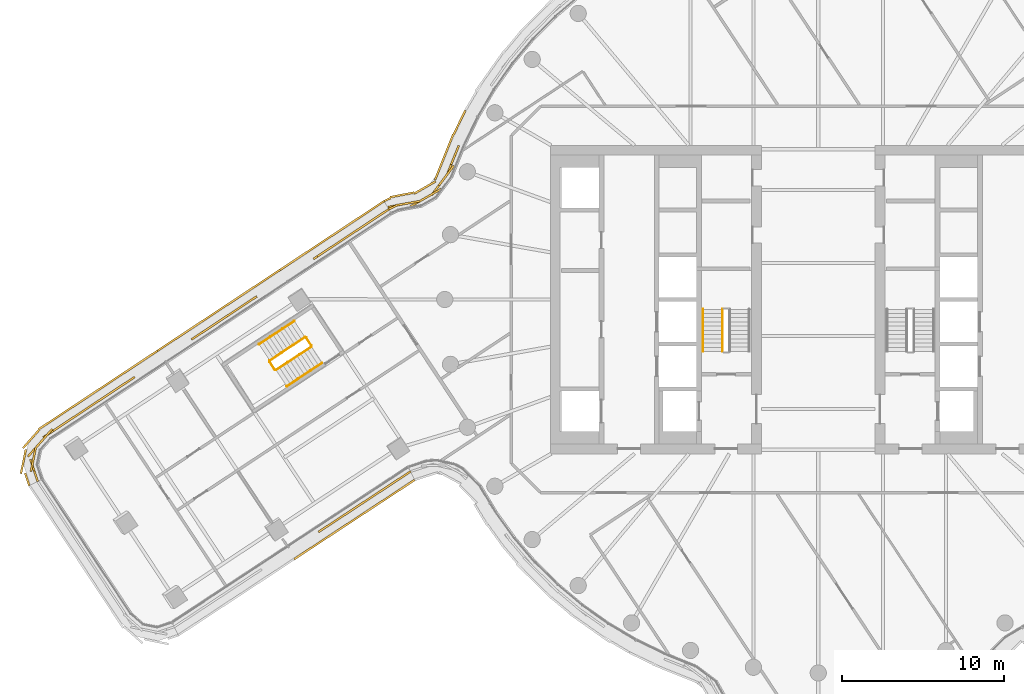
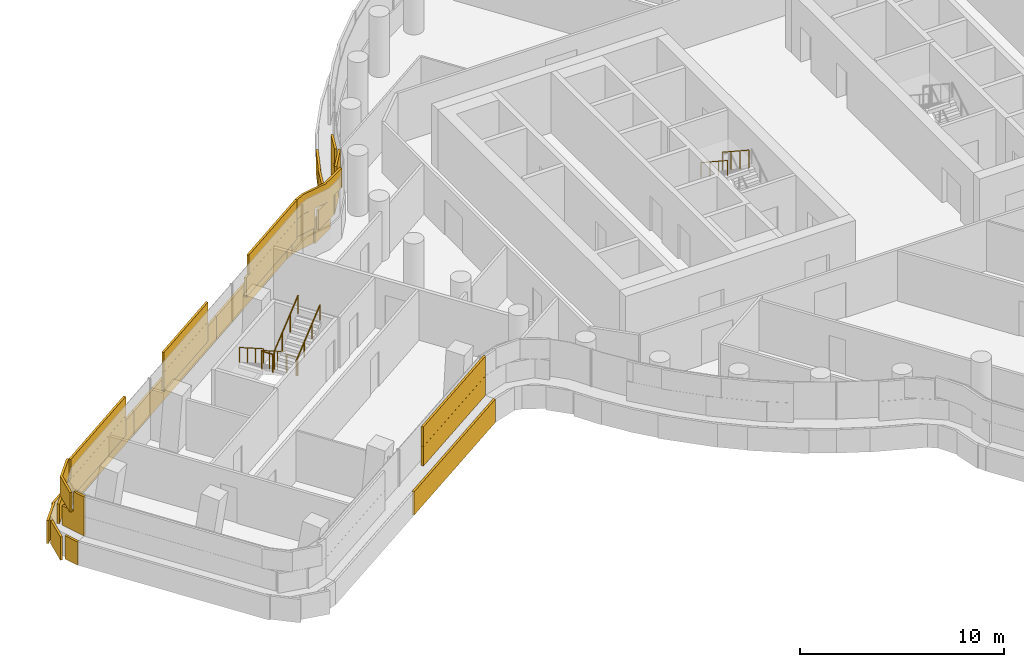
# One storey, part 30 of 35: 8 railings, 5 coverings.
"""IFC4 building model written with IfcOpenShell, lengths in metres."""

from ifc_helpers import new_model, si_unit, direction, frame, origin, origin_2d, place, context, subcontext, project, spatial, rectangle, circle, extrude, material, layer, layer_set, type_object, element, save


model = new_model("IFC4")

# Units and contexts
model_context = context("Model", 3, precision=1e-05, world=origin(), true_north=direction((0.0, 1.0)))
body_context = subcontext(model_context, "Body", "Model", "MODEL_VIEW")
ifc_project = project(units=[si_unit("LENGTHUNIT", "METRE"), si_unit("AREAUNIT", "SQUARE_METRE"), si_unit("VOLUMEUNIT", "CUBIC_METRE"), si_unit("PLANEANGLEUNIT", "RADIAN"), si_unit("MASSUNIT", "GRAM", prefix="KILO")], contexts=[model_context])

# Site, building, storey
site_placement = place(None, origin())
site = spatial("IfcSite", under=ifc_project, at=site_placement, CompositionType="ELEMENT")
building_placement = place(site_placement, origin())
building = spatial("IfcBuilding", under=site, at=building_placement, Name="Tamarind Cross Interchange Tower", CompositionType="ELEMENT")
storey_placement = place(building_placement, frame((0.0, 0.0, 155.5)))
storey = spatial("IfcBuildingStorey", under=building, at=storey_placement, Name="L38", CompositionType="ELEMENT", Elevation=155.5)

# Railings
ifc_material_1 = material(Name="Stair guard")
railing_type_1 = type_object("IfcRailingType", Name="Stair guard", PredefinedType="GUARDRAIL", material=ifc_material_1)
railing_1_placement = place(storey_placement, frame((-5.89990234375, -0.60009765625, 2.04541015625)))
element("IfcRailing", 1, at=railing_1_placement, inside=storey, type_object=railing_type_1, Name="L38 ST1 stair guard 3", PredefinedType="GUARDRAIL", context=body_context, shape_type="SweptSolid", body=[
    extrude(circle(Radius=0.02392578125, at=origin_2d()), frame((0.0, 0.0, 1.076171875), z_axis=(0.0, -0.836278606002, 0.548304744775), x_axis=(1.0, 0.0, 0.0)), (0.0, 0.0, 1.0), 3.10888671875),
    extrude(circle(Radius=0.02099609375, at=origin_2d()), origin(), (0.0, 0.0, 1.0), 1.052001953125),
    extrude(circle(Radius=0.02099609375, at=origin_2d()), frame((0.0, -0.86669921875, 0.568115234375)), (0.0, 0.0, 1.0), 1.052001953125),
    extrude(circle(Radius=0.02099609375, at=origin_2d()), frame((0.0, -1.733154296875, 1.136474609375)), (0.0, 0.0, 1.0), 1.052001953125),
    extrude(circle(Radius=0.02099609375, at=origin_2d()), frame((0.0, -2.599853515625, 1.70458984375)), (0.0, 0.0, 1.0), 1.052001953125),
])
railing_2_placement = place(storey_placement, frame((-31.60693359375, -2.328369140625, 0.17041015625)))
element("IfcRailing", 2, at=railing_2_placement, inside=storey, type_object=railing_type_1, Name="L38 ST5 stair guard 1", PredefinedType="GUARDRAIL", context=body_context, shape_type="SweptSolid", body=[
    extrude(circle(Radius=0.02392578125, at=origin_2d()), frame((0.0, 0.0, 1.076171875), z_axis=(-0.697883001137, -0.460805384345, 0.548286161127), x_axis=(0.551010951967, -0.834498011269, 0.0)), (0.0, 0.0, 1.0), 3.10888671875),
    extrude(circle(Radius=0.02099609375, at=origin_2d()), origin(), (0.0, 0.0, 1.0), 1.052001953125),
    extrude(circle(Radius=0.02099609375, at=origin_2d()), frame((-0.72314453125, -0.4775390625, 0.568115234375)), (0.0, 0.0, 1.0), 1.052001953125),
    extrude(circle(Radius=0.02099609375, at=origin_2d()), frame((-1.446533203125, -0.955078125, 1.136474609375)), (0.0, 0.0, 1.0), 1.052001953125),
    extrude(circle(Radius=0.02099609375, at=origin_2d()), frame((-2.169677734375, -1.4326171875, 1.70458984375)), (0.0, 0.0, 1.0), 1.052001953125),
])
railing_3_placement = place(storey_placement, frame((-33.790771484375, -3.830078125, 1.875)))
element("IfcRailing", 3, at=railing_3_placement, inside=storey, type_object=railing_type_1, Name="L38 ST5 stair guard 2", PredefinedType="GUARDRAIL", context=body_context, shape_type="SweptSolid", body=[
    extrude(circle(Radius=0.02392578125, at=origin_2d()), frame((0.0, 0.0, 1.076171875), z_axis=(0.550938572023, -0.834545798538, 0.0), x_axis=(0.834545798538, 0.550938572023, 0.0)), (0.0, 0.0, 1.0), 0.60009765625),
    extrude(circle(Radius=0.02099609375, at=origin_2d()), origin(), (0.0, 0.0, 1.0), 1.052001953125),
    extrude(circle(Radius=0.02099609375, at=origin_2d()), frame((0.33056640625, -0.500732421875, 0.0)), (0.0, 0.0, 1.0), 1.052001953125),
])
railing_4_placement = place(storey_placement, frame((-33.390869140625, -4.344970703125, 2.04541015625)))
element("IfcRailing", 4, at=railing_4_placement, inside=storey, type_object=railing_type_1, Name="L38 ST5 stair guard 3", PredefinedType="GUARDRAIL", context=body_context, shape_type="SweptSolid", body=[
    extrude(circle(Radius=0.02392578125, at=origin_2d()), frame((0.0, 0.0, 1.076171875), z_axis=(0.697908254206, 0.460743527335, 0.548306000998), x_axis=(-0.550945555476, 0.834541188259, 0.0)), (0.0, 0.0, 1.0), 3.10888671875),
    extrude(circle(Radius=0.02099609375, at=origin_2d()), origin(), (0.0, 0.0, 1.0), 1.052001953125),
    extrude(circle(Radius=0.02099609375, at=origin_2d()), frame((0.72314453125, 0.4775390625, 0.568115234375)), (0.0, 0.0, 1.0), 1.052001953125),
    extrude(circle(Radius=0.02099609375, at=origin_2d()), frame((1.446533203125, 0.954833984375, 1.136474609375)), (0.0, 0.0, 1.0), 1.052001953125),
    extrude(circle(Radius=0.02099609375, at=origin_2d()), frame((2.169677734375, 1.432373046875, 1.70458984375)), (0.0, 0.0, 1.0), 1.052001953125),
])
railing_5_placement = place(storey_placement, frame((-31.53759765625, -2.342529296875, 0.0)))
element("IfcRailing", 5, at=railing_5_placement, inside=storey, type_object=railing_type_1, Name="L38 ST5 stair guard 4", PredefinedType="GUARDRAIL", context=body_context, shape_type="SweptSolid", body=[
    extrude(circle(Radius=0.02392578125, at=origin_2d()), frame((0.0, 0.0, 1.076171875), z_axis=(0.550938572023, -0.834545798538, 0.0), x_axis=(0.834545798538, 0.550938572023, 0.0)), (0.0, 0.0, 1.0), 0.60009765625),
    extrude(circle(Radius=0.02099609375, at=origin_2d()), origin(), (0.0, 0.0, 1.0), 1.052001953125),
    extrude(circle(Radius=0.02099609375, at=origin_2d()), frame((0.33056640625, -0.500732421875, 0.0)), (0.0, 0.0, 1.0), 1.052001953125),
])
ifc_material_2 = material(Name="Stair handrail")
railing_type_2 = type_object("IfcRailingType", Name="Stair handrail", PredefinedType="HANDRAIL", material=ifc_material_2)
railing_6_placement = place(storey_placement, frame((-7.10009765625, -0.60009765625, 2.04541015625)))
element("IfcRailing", 6, at=railing_6_placement, inside=storey, type_object=railing_type_2, Name="L38 ST1 stair handrail 2", PredefinedType="HANDRAIL", context=body_context, shape_type="SweptSolid", body=[
    extrude(circle(Radius=0.02392578125, at=origin_2d()), frame((0.0, 0.0, 0.8759765625), z_axis=(0.0, -0.836278606002, 0.548304744775), x_axis=(1.0, 0.0, 0.0)), (0.0, 0.0, 1.0), 3.10888671875),
    extrude(circle(Radius=0.02099609375, at=origin_2d()), origin(), (0.0, 0.0, 1.0), 0.851806640625),
    extrude(circle(Radius=0.02099609375, at=origin_2d()), frame((0.0, -0.86669921875, 0.568115234375)), (0.0, 0.0, 1.0), 0.851806640625),
    extrude(circle(Radius=0.02099609375, at=origin_2d()), frame((0.0, -1.733154296875, 1.136474609375)), (0.0, 0.0, 1.0), 0.851806640625),
    extrude(circle(Radius=0.02099609375, at=origin_2d()), frame((0.0, -2.599853515625, 1.70458984375)), (0.0, 0.0, 1.0), 0.851806640625),
])
railing_7_placement = place(storey_placement, frame((-32.26806640625, -1.326904296875, 0.17041015625)))
element("IfcRailing", 7, at=railing_7_placement, inside=storey, type_object=railing_type_2, Name="L38 ST5 stair handrail 1", PredefinedType="HANDRAIL", context=body_context, shape_type="SweptSolid", body=[
    extrude(circle(Radius=0.02392578125, at=origin_2d()), frame((0.0, 0.0, 0.8759765625), z_axis=(-0.697883001137, -0.460805384345, 0.548286161127), x_axis=(0.551010951967, -0.834498011269, 0.0)), (0.0, 0.0, 1.0), 3.10888671875),
    extrude(circle(Radius=0.02099609375, at=origin_2d()), origin(), (0.0, 0.0, 1.0), 0.851806640625),
    extrude(circle(Radius=0.02099609375, at=origin_2d()), frame((-0.72314453125, -0.4775390625, 0.568115234375)), (0.0, 0.0, 1.0), 0.851806640625),
    extrude(circle(Radius=0.02099609375, at=origin_2d()), frame((-1.446533203125, -0.955078125, 1.136474609375)), (0.0, 0.0, 1.0), 0.851806640625),
    extrude(circle(Radius=0.02099609375, at=origin_2d()), frame((-2.169677734375, -1.4326171875, 1.70458984375)), (0.0, 0.0, 1.0), 0.851806640625),
])
railing_8_placement = place(storey_placement, frame((-32.729736328125, -5.346435546875, 2.04541015625)))
element("IfcRailing", 8, at=railing_8_placement, inside=storey, type_object=railing_type_2, Name="L38 ST5 stair handrail 2", PredefinedType="HANDRAIL", context=body_context, shape_type="SweptSolid", body=[
    extrude(circle(Radius=0.02392578125, at=origin_2d()), frame((0.0, 0.0, 0.8759765625), z_axis=(0.697908254206, 0.460743527335, 0.548306000998), x_axis=(-0.550945555476, 0.834541188259, 0.0)), (0.0, 0.0, 1.0), 3.10888671875),
    extrude(circle(Radius=0.02099609375, at=origin_2d()), origin(), (0.0, 0.0, 1.0), 0.851806640625),
    extrude(circle(Radius=0.02099609375, at=origin_2d()), frame((0.72314453125, 0.4775390625, 0.568115234375)), (0.0, 0.0, 1.0), 0.851806640625),
    extrude(circle(Radius=0.02099609375, at=origin_2d()), frame((1.446533203125, 0.954833984375, 1.136474609375)), (0.0, 0.0, 1.0), 0.851806640625),
    extrude(circle(Radius=0.02099609375, at=origin_2d()), frame((2.169677734375, 1.432373046875, 1.70458984375)), (0.0, 0.0, 1.0), 0.851806640625),
])

# Coverings
ifc_material_3 = material(Name="Terracotta", Category="masonry")
ifc_layer = layer(ifc_material_3, 0.1201171875)
ifc_layer_set = layer_set([ifc_layer], Name="Terracotta")
covering_type = type_object("IfcCoveringType", Name="Terracotta baguette screen unit", PredefinedType="MOLDING", material=ifc_layer_set)
covering_1_placement = place(storey_placement, origin())
element("IfcCovering", 9, at=covering_1_placement, inside=storey, type_object=covering_type, Name="SCR-L38-02-01", PredefinedType="MOLDING", context=body_context, shape_type="SweptSolid", body=[
    extrude(rectangle(XDim=0.510986328125, YDim=0.1201171875, at=origin_2d()), frame((-22.232177734375, 9.247802734375, 1.404052734375), z_axis=(0.0, 0.0, 1.0), x_axis=(-0.37262047938, -0.927983824399, 0.0)), (0.0, 0.0, 1.0), 1.1669921875),
    extrude(rectangle(XDim=1.52001953125, YDim=0.1201171875, at=origin_2d()), frame((-22.60498046875, 8.3193359375, 1.404052734375), z_axis=(0.0, 0.0, 1.0), x_axis=(-0.37262047938, -0.927983824399, 0.0)), (0.0, 0.0, 1.0), 1.1669921875),
    extrude(rectangle(XDim=1.52001953125, YDim=0.1201171875, at=origin_2d()), frame((-23.35498046875, 7.034912109375, 1.404052734375), z_axis=(0.0, 0.0, 1.0), x_axis=(-0.600603865938, -0.799546744237, 0.0)), (0.0, 0.0, 1.0), 1.1669921875),
    extrude(rectangle(XDim=1.52001953125, YDim=0.1201171875, at=origin_2d()), frame((-24.4814453125, 6.09130859375, 1.404052734375), z_axis=(0.0, 0.0, 1.0), x_axis=(-0.868258429701, -0.496112184141, 0.0)), (0.0, 0.0, 1.0), 1.1669921875),
    extrude(rectangle(XDim=1.317138671875, YDim=0.1201171875, at=origin_2d()), frame((-25.853759765625, 5.8154296875, 1.404052734375), z_axis=(0.0, 0.0, 1.0), x_axis=(-0.981187002494, -0.193059747584, 0.0)), (0.0, 0.0, 1.0), 1.1669921875),
    extrude(rectangle(XDim=1.260986328125, YDim=0.1201171875, at=origin_2d()), frame((-22.3720703125, 8.89990234375, 2.5791015625), z_axis=(0.0, 0.0, 1.0), x_axis=(-0.37262047938, -0.927983824399, 0.0)), (0.0, 0.0, 1.0), 1.1669921875),
    extrude(rectangle(XDim=1.52001953125, YDim=0.1201171875, at=origin_2d()), frame((-22.904541015625, 7.634521484375, 2.5791015625), z_axis=(0.0, 0.0, 1.0), x_axis=(-0.600603865938, -0.799546744237, 0.0)), (0.0, 0.0, 1.0), 1.1669921875),
    extrude(rectangle(XDim=1.52001953125, YDim=0.1201171875, at=origin_2d()), frame((-23.830078125, 6.46337890625, 2.5791015625), z_axis=(0.0, 0.0, 1.0), x_axis=(-0.868258429701, -0.496112184141, 0.0)), (0.0, 0.0, 1.0), 1.1669921875),
    extrude(rectangle(XDim=1.52001953125, YDim=0.1201171875, at=origin_2d()), frame((-25.2119140625, 5.93896484375, 2.5791015625), z_axis=(0.0, 0.0, 1.0), x_axis=(-0.984833364219, -0.173502866607, 0.0)), (0.0, 0.0, 1.0), 1.1669921875),
    extrude(rectangle(XDim=0.567138671875, YDim=0.1201171875, at=origin_2d()), frame((-26.2001953125, 5.67919921875, 2.5791015625), z_axis=(0.0, 0.0, 1.0), x_axis=(-0.899301470343, -0.437329241463, 0.0)), (0.0, 0.0, 1.0), 1.1669921875),
    extrude(rectangle(XDim=0.1552734375, YDim=0.1201171875, at=origin_2d()), frame((-21.771728515625, 11.5751953125, 0.00390625), z_axis=(0.0, 0.0, 1.0), x_axis=(-0.435326231914, -0.900272776334, 0.0)), (0.0, 0.0, 1.0), 1.39208984375),
    extrude(rectangle(XDim=1.52001953125, YDim=0.1201171875, at=origin_2d()), frame((-22.127685546875, 10.839111328125, 0.00390625), z_axis=(0.0, 0.0, 1.0), x_axis=(-0.435326231914, -0.900272776334, 0.0)), (0.0, 0.0, 1.0), 1.39208984375),
    extrude(rectangle(XDim=1.52001953125, YDim=0.1201171875, at=origin_2d()), frame((-22.758056640625, 9.478759765625, 0.00390625), z_axis=(0.0, 0.0, 1.0), x_axis=(-0.37262047938, -0.927983824399, 0.0)), (0.0, 0.0, 1.0), 1.39208984375),
    extrude(rectangle(XDim=1.52001953125, YDim=0.1201171875, at=origin_2d()), frame((-23.31689453125, 8.086669921875, 0.00390625), z_axis=(0.0, 0.0, 1.0), x_axis=(-0.37262047938, -0.927983824399, 0.0)), (0.0, 0.0, 1.0), 1.39208984375),
    extrude(rectangle(XDim=1.52001953125, YDim=0.1201171875, at=origin_2d()), frame((-24.218994140625, 6.90234375, 0.00390625), z_axis=(0.0, 0.0, 1.0), x_axis=(-0.868258429701, -0.496112184141, 0.0)), (0.0, 0.0, 1.0), 1.39208984375),
    extrude(rectangle(XDim=1.52001953125, YDim=0.1201171875, at=origin_2d()), frame((-25.625732421875, 6.4453125, 0.00390625), z_axis=(0.0, 0.0, 1.0), x_axis=(-0.981187002494, -0.193059747584, 0.0)), (0.0, 0.0, 1.0), 1.39208984375),
    extrude(rectangle(XDim=0.445556640625, YDim=0.1201171875, at=origin_2d()), frame((-26.535400390625, 6.154541015625, 0.00390625), z_axis=(0.0, 0.0, 1.0), x_axis=(-0.899301470343, -0.437329241463, 0.0)), (0.0, 0.0, 1.0), 1.39208984375),
])
covering_2_placement = place(storey_placement, origin())
element("IfcCovering", 10, at=covering_2_placement, inside=storey, type_object=covering_type, Name="SCR-L38-03-00", PredefinedType="MOLDING", context=body_context, shape_type="SweptSolid", body=[
    extrude(rectangle(XDim=1.510009765625, YDim=0.1201171875, at=origin_2d()), frame((-27.07666015625, 5.14404296875, 1.404052734375), z_axis=(0.0, 0.0, 1.0), x_axis=(-0.834524900963, -0.550970225759, 0.0)), (0.0, 0.0, 1.0), 1.1669921875),
    extrude(rectangle(XDim=1.52001953125, YDim=0.1201171875, at=origin_2d()), frame((-28.328369140625, 4.317626953125, 1.404052734375), z_axis=(0.0, 0.0, 1.0), x_axis=(-0.834524900963, -0.550970225759, 0.0)), (0.0, 0.0, 1.0), 1.1669921875),
    extrude(rectangle(XDim=1.52001953125, YDim=0.1201171875, at=origin_2d()), frame((-29.580322265625, 3.4912109375, 1.404052734375), z_axis=(0.0, 0.0, 1.0), x_axis=(-0.834524900963, -0.550970225759, 0.0)), (0.0, 0.0, 1.0), 1.1669921875),
    extrude(rectangle(XDim=1.05712890625, YDim=0.1201171875, at=origin_2d()), frame((-30.64306640625, 2.78955078125, 1.404052734375), z_axis=(0.0, 0.0, 1.0), x_axis=(-0.834524900963, -0.550970225759, 0.0)), (0.0, 0.0, 1.0), 1.1669921875),
    extrude(rectangle(XDim=0.760009765625, YDim=0.1201171875, at=origin_2d()), frame((-26.763671875, 5.350830078125, 2.5791015625), z_axis=(0.0, 0.0, 1.0), x_axis=(-0.834524900963, -0.550970225759, 0.0)), (0.0, 0.0, 1.0), 1.1669921875),
    extrude(rectangle(XDim=1.52001953125, YDim=0.1201171875, at=origin_2d()), frame((-27.70263671875, 4.73095703125, 2.5791015625), z_axis=(0.0, 0.0, 1.0), x_axis=(-0.834524900963, -0.550970225759, 0.0)), (0.0, 0.0, 1.0), 1.1669921875),
    extrude(rectangle(XDim=1.52001953125, YDim=0.1201171875, at=origin_2d()), frame((-28.954345703125, 3.904541015625, 2.5791015625), z_axis=(0.0, 0.0, 1.0), x_axis=(-0.834524900963, -0.550970225759, 0.0)), (0.0, 0.0, 1.0), 1.1669921875),
    extrude(rectangle(XDim=1.52001953125, YDim=0.1201171875, at=origin_2d()), frame((-30.2060546875, 3.077880859375, 2.5791015625), z_axis=(0.0, 0.0, 1.0), x_axis=(-0.834524900963, -0.550970225759, 0.0)), (0.0, 0.0, 1.0), 1.1669921875),
    extrude(rectangle(XDim=1.510009765625, YDim=0.1201171875, at=origin_2d()), frame((-27.36572265625, 5.64111328125, 0.00390625), z_axis=(0.0, 0.0, 1.0), x_axis=(-0.834524900963, -0.550970225759, 0.0)), (0.0, 0.0, 1.0), 1.39208984375),
    extrude(rectangle(XDim=1.52001953125, YDim=0.1201171875, at=origin_2d()), frame((-28.61328125, 4.8173828125, 0.00390625), z_axis=(0.0, 0.0, 1.0), x_axis=(-0.834524900963, -0.550970225759, 0.0)), (0.0, 0.0, 1.0), 1.39208984375),
    extrude(rectangle(XDim=1.52001953125, YDim=0.1201171875, at=origin_2d()), frame((-29.865234375, 3.990966796875, 0.00390625), z_axis=(0.0, 0.0, 1.0), x_axis=(-0.834524900963, -0.550970225759, 0.0)), (0.0, 0.0, 1.0), 1.39208984375),
    extrude(rectangle(XDim=1.52001953125, YDim=0.1201171875, at=origin_2d()), frame((-31.116943359375, 3.16455078125, 0.00390625), z_axis=(0.0, 0.0, 1.0), x_axis=(-0.834524900963, -0.550970225759, 0.0)), (0.0, 0.0, 1.0), 1.39208984375),
    extrude(rectangle(XDim=1.52001953125, YDim=0.1201171875, at=origin_2d()), frame((-32.36865234375, 2.338134765625, 0.00390625), z_axis=(0.0, 0.0, 1.0), x_axis=(-0.834524900963, -0.550970225759, 0.0)), (0.0, 0.0, 1.0), 1.39208984375),
    extrude(rectangle(XDim=0.19140625, YDim=0.1201171875, at=origin_2d()), frame((-33.066162109375, 1.877685546875, 0.00390625), z_axis=(0.0, 0.0, 1.0), x_axis=(-0.834524900963, -0.550970225759, 0.0)), (0.0, 0.0, 1.0), 1.39208984375),
])
covering_3_placement = place(storey_placement, origin())
element("IfcCovering", 11, at=covering_3_placement, inside=storey, type_object=covering_type, Name="SCR-L38-03-01", PredefinedType="MOLDING", context=body_context, shape_type="SweptSolid", body=[
    extrude(rectangle(XDim=0.762939453125, YDim=0.1201171875, at=origin_2d()), frame((-34.899169921875, -0.0205078125, 1.404052734375), z_axis=(0.0, 0.0, 1.0), x_axis=(-0.834524900963, -0.550970225759, 0.0)), (0.0, 0.0, 1.0), 1.1669921875),
    extrude(rectangle(XDim=1.52001953125, YDim=0.1201171875, at=origin_2d()), frame((-35.839111328125, -0.64111328125, 1.404052734375), z_axis=(0.0, 0.0, 1.0), x_axis=(-0.834524900963, -0.550970225759, 0.0)), (0.0, 0.0, 1.0), 1.1669921875),
    extrude(rectangle(XDim=1.52001953125, YDim=0.1201171875, at=origin_2d()), frame((-37.091064453125, -1.467529296875, 1.404052734375), z_axis=(0.0, 0.0, 1.0), x_axis=(-0.834524900963, -0.550970225759, 0.0)), (0.0, 0.0, 1.0), 1.1669921875),
    extrude(rectangle(XDim=1.0634765625, YDim=0.1201171875, at=origin_2d()), frame((-38.156494140625, -2.1708984375, 1.404052734375), z_axis=(0.0, 0.0, 1.0), x_axis=(-0.834524900963, -0.550970225759, 0.0)), (0.0, 0.0, 1.0), 1.1669921875),
    extrude(rectangle(XDim=1.52001953125, YDim=0.1201171875, at=origin_2d()), frame((-35.21337890625, -0.227783203125, 2.5791015625), z_axis=(0.0, 0.0, 1.0), x_axis=(-0.834524900963, -0.550970225759, 0.0)), (0.0, 0.0, 1.0), 1.1669921875),
    extrude(rectangle(XDim=1.52001953125, YDim=0.1201171875, at=origin_2d()), frame((-36.465087890625, -1.05419921875, 2.5791015625), z_axis=(0.0, 0.0, 1.0), x_axis=(-0.834524900963, -0.550970225759, 0.0)), (0.0, 0.0, 1.0), 1.1669921875),
    extrude(rectangle(XDim=1.52001953125, YDim=0.1201171875, at=origin_2d()), frame((-37.716796875, -1.880859375, 2.5791015625), z_axis=(0.0, 0.0, 1.0), x_axis=(-0.834524900963, -0.550970225759, 0.0)), (0.0, 0.0, 1.0), 1.1669921875),
    extrude(rectangle(XDim=0.3134765625, YDim=0.1201171875, at=origin_2d()), frame((-38.469482421875, -2.377685546875, 2.5791015625), z_axis=(0.0, 0.0, 1.0), x_axis=(-0.834524900963, -0.550970225759, 0.0)), (0.0, 0.0, 1.0), 1.1669921875),
    extrude(rectangle(XDim=1.32861328125, YDim=0.1201171875, at=origin_2d()), frame((-33.700439453125, 1.458740234375, 0.00390625), z_axis=(0.0, 0.0, 1.0), x_axis=(-0.834524900963, -0.550970225759, 0.0)), (0.0, 0.0, 1.0), 1.39208984375),
    extrude(rectangle(XDim=1.52001953125, YDim=0.1201171875, at=origin_2d()), frame((-34.872314453125, 0.68505859375, 0.00390625), z_axis=(0.0, 0.0, 1.0), x_axis=(-0.834524900963, -0.550970225759, 0.0)), (0.0, 0.0, 1.0), 1.39208984375),
    extrude(rectangle(XDim=1.52001953125, YDim=0.1201171875, at=origin_2d()), frame((-36.1240234375, -0.141357421875, 0.00390625), z_axis=(0.0, 0.0, 1.0), x_axis=(-0.834524900963, -0.550970225759, 0.0)), (0.0, 0.0, 1.0), 1.39208984375),
    extrude(rectangle(XDim=1.52001953125, YDim=0.1201171875, at=origin_2d()), frame((-37.375732421875, -0.9677734375, 0.00390625), z_axis=(0.0, 0.0, 1.0), x_axis=(-0.834524900963, -0.550970225759, 0.0)), (0.0, 0.0, 1.0), 1.39208984375),
    extrude(rectangle(XDim=1.52001953125, YDim=0.1201171875, at=origin_2d()), frame((-38.627685546875, -1.794189453125, 0.00390625), z_axis=(0.0, 0.0, 1.0), x_axis=(-0.834524900963, -0.550970225759, 0.0)), (0.0, 0.0, 1.0), 1.39208984375),
    extrude(rectangle(XDim=1.52001953125, YDim=0.1201171875, at=origin_2d()), frame((-39.87939453125, -2.62060546875, 0.00390625), z_axis=(0.0, 0.0, 1.0), x_axis=(-0.834524900963, -0.550970225759, 0.0)), (0.0, 0.0, 1.0), 1.39208984375),
    extrude(rectangle(XDim=0.23828125, YDim=0.1201171875, at=origin_2d()), frame((-40.596435546875, -3.093994140625, 0.00390625), z_axis=(0.0, 0.0, 1.0), x_axis=(-0.834524900963, -0.550970225759, 0.0)), (0.0, 0.0, 1.0), 1.39208984375),
])
covering_4_placement = place(storey_placement, origin())
element("IfcCovering", 12, at=covering_4_placement, inside=storey, type_object=covering_type, Name="SCR-L38-03-02", PredefinedType="MOLDING", context=body_context, shape_type="SweptSolid", body=[
    extrude(rectangle(XDim=0.756591796875, YDim=0.1201171875, at=origin_2d()), frame((-42.41259765625, -4.98095703125, 1.404052734375), z_axis=(0.0, 0.0, 1.0), x_axis=(-0.834524900963, -0.550970225759, 0.0)), (0.0, 0.0, 1.0), 1.1669921875),
    extrude(rectangle(XDim=1.52001953125, YDim=0.1201171875, at=origin_2d()), frame((-43.349853515625, -5.599853515625, 1.404052734375), z_axis=(0.0, 0.0, 1.0), x_axis=(-0.834524900963, -0.550970225759, 0.0)), (0.0, 0.0, 1.0), 1.1669921875),
    extrude(rectangle(XDim=1.52001953125, YDim=0.1201171875, at=origin_2d()), frame((-44.601806640625, -6.42626953125, 1.404052734375), z_axis=(0.0, 0.0, 1.0), x_axis=(-0.834524900963, -0.550970225759, 0.0)), (0.0, 0.0, 1.0), 1.1669921875),
    extrude(rectangle(XDim=1.52001953125, YDim=0.1201171875, at=origin_2d()), frame((-45.853515625, -7.252685546875, 1.404052734375), z_axis=(0.0, 0.0, 1.0), x_axis=(-0.834524900963, -0.550970225759, 0.0)), (0.0, 0.0, 1.0), 1.1669921875),
    extrude(rectangle(XDim=1.52001953125, YDim=0.1201171875, at=origin_2d()), frame((-47.105224609375, -8.0791015625, 1.404052734375), z_axis=(0.0, 0.0, 1.0), x_axis=(-0.834524900963, -0.550970225759, 0.0)), (0.0, 0.0, 1.0), 1.1669921875),
    extrude(rectangle(XDim=1.52001953125, YDim=0.1201171875, at=origin_2d()), frame((-48.17724609375, -9.11279296875, 1.404052734375), z_axis=(0.0, 0.0, 1.0), x_axis=(-0.663487566811, -0.748187308558, 0.0)), (0.0, 0.0, 1.0), 1.1669921875),
    extrude(rectangle(XDim=1.435302734375, YDim=0.1201171875, at=origin_2d()), frame((-48.294677734375, -10.52978515625, 1.404052734375), z_axis=(0.0, 0.0, 1.0), x_axis=(0.316205432595, -0.948690742232, 0.0)), (0.0, 0.0, 1.0), 1.1669921875),
    extrude(rectangle(XDim=1.506591796875, YDim=0.1201171875, at=origin_2d()), frame((-42.7255859375, -5.1875, 2.5791015625), z_axis=(0.0, 0.0, 1.0), x_axis=(-0.834524900963, -0.550970225759, 0.0)), (0.0, 0.0, 1.0), 1.1669921875),
    extrude(rectangle(XDim=1.52001953125, YDim=0.1201171875, at=origin_2d()), frame((-43.975830078125, -6.012939453125, 2.5791015625), z_axis=(0.0, 0.0, 1.0), x_axis=(-0.834524900963, -0.550970225759, 0.0)), (0.0, 0.0, 1.0), 1.1669921875),
    extrude(rectangle(XDim=1.52001953125, YDim=0.1201171875, at=origin_2d()), frame((-45.2275390625, -6.839599609375, 2.5791015625), z_axis=(0.0, 0.0, 1.0), x_axis=(-0.834524900963, -0.550970225759, 0.0)), (0.0, 0.0, 1.0), 1.1669921875),
    extrude(rectangle(XDim=1.52001953125, YDim=0.1201171875, at=origin_2d()), frame((-46.4794921875, -7.666015625, 2.5791015625), z_axis=(0.0, 0.0, 1.0), x_axis=(-0.834524900963, -0.550970225759, 0.0)), (0.0, 0.0, 1.0), 1.1669921875),
    extrude(rectangle(XDim=1.52001953125, YDim=0.1201171875, at=origin_2d()), frame((-47.6796875, -8.5517578125, 2.5791015625), z_axis=(0.0, 0.0, 1.0), x_axis=(-0.663487566811, -0.748187308558, 0.0)), (0.0, 0.0, 1.0), 1.1669921875),
    extrude(rectangle(XDim=1.52001953125, YDim=0.1201171875, at=origin_2d()), frame((-48.337158203125, -9.8427734375, 2.5791015625), z_axis=(0.0, 0.0, 1.0), x_axis=(-0.200503433674, -0.979692999406, 0.0)), (0.0, 0.0, 1.0), 1.1669921875),
    extrude(rectangle(XDim=0.685302734375, YDim=0.1201171875, at=origin_2d()), frame((-48.17626953125, -10.8857421875, 2.5791015625), z_axis=(0.0, 0.0, 1.0), x_axis=(0.316205432595, -0.948690742232, 0.0)), (0.0, 0.0, 1.0), 1.1669921875),
    extrude(rectangle(XDim=1.28173828125, YDim=0.1201171875, at=origin_2d()), frame((-41.230712890625, -3.5126953125, 0.00390625), z_axis=(0.0, 0.0, 1.0), x_axis=(-0.834524900963, -0.550970225759, 0.0)), (0.0, 0.0, 1.0), 1.39208984375),
    extrude(rectangle(XDim=1.52001953125, YDim=0.1201171875, at=origin_2d()), frame((-42.383056640625, -4.273681640625, 0.00390625), z_axis=(0.0, 0.0, 1.0), x_axis=(-0.834524900963, -0.550970225759, 0.0)), (0.0, 0.0, 1.0), 1.39208984375),
    extrude(rectangle(XDim=1.52001953125, YDim=0.1201171875, at=origin_2d()), frame((-43.634765625, -5.10009765625, 0.00390625), z_axis=(0.0, 0.0, 1.0), x_axis=(-0.834524900963, -0.550970225759, 0.0)), (0.0, 0.0, 1.0), 1.39208984375),
    extrude(rectangle(XDim=1.52001953125, YDim=0.1201171875, at=origin_2d()), frame((-44.886474609375, -5.926513671875, 0.00390625), z_axis=(0.0, 0.0, 1.0), x_axis=(-0.834524900963, -0.550970225759, 0.0)), (0.0, 0.0, 1.0), 1.39208984375),
    extrude(rectangle(XDim=1.52001953125, YDim=0.1201171875, at=origin_2d()), frame((-46.138427734375, -6.7529296875, 0.00390625), z_axis=(0.0, 0.0, 1.0), x_axis=(-0.834524900963, -0.550970225759, 0.0)), (0.0, 0.0, 1.0), 1.39208984375),
    extrude(rectangle(XDim=1.52001953125, YDim=0.1201171875, at=origin_2d()), frame((-47.39013671875, -7.579345703125, 0.00390625), z_axis=(0.0, 0.0, 1.0), x_axis=(-0.834524900963, -0.550970225759, 0.0)), (0.0, 0.0, 1.0), 1.39208984375),
    extrude(rectangle(XDim=1.52001953125, YDim=0.1201171875, at=origin_2d()), frame((-48.481689453125, -8.5908203125, 0.00390625), z_axis=(0.0, 0.0, 1.0), x_axis=(-0.663487566811, -0.748187308558, 0.0)), (0.0, 0.0, 1.0), 1.39208984375),
    extrude(rectangle(XDim=1.52001953125, YDim=0.1201171875, at=origin_2d()), frame((-48.950439453125, -9.976318359375, 0.00390625), z_axis=(0.0, 0.0, 1.0), x_axis=(-0.200503433674, -0.979692999406, 0.0)), (0.0, 0.0, 1.0), 1.39208984375),
    extrude(rectangle(XDim=0.814697265625, YDim=0.1201171875, at=origin_2d()), frame((-48.718994140625, -11.07275390625, 0.00390625), z_axis=(0.0, 0.0, 1.0), x_axis=(0.316205432595, -0.948690742232, 0.0)), (0.0, 0.0, 1.0), 1.39208984375),
])
covering_5_placement = place(storey_placement, origin())
element("IfcCovering", 13, at=covering_5_placement, inside=storey, type_object=covering_type, Name="SCR-L38-05-01", PredefinedType="MOLDING", context=body_context, shape_type="SweptSolid", body=[
    extrude(rectangle(XDim=1.370361328125, YDim=0.1201171875, at=origin_2d()), frame((-30.2080078125, -13.94287109375, 1.404052734375), z_axis=(0.0, 0.0, 1.0), x_axis=(0.835659570214, 0.549247742562, 0.0)), (0.0, 0.0, 1.0), 1.1669921875),
    extrude(rectangle(XDim=1.52001953125, YDim=0.1201171875, at=origin_2d()), frame((-29.012939453125, -13.157470703125, 1.404052734375), z_axis=(0.0, 0.0, 1.0), x_axis=(0.835659570214, 0.549247742562, 0.0)), (0.0, 0.0, 1.0), 1.1669921875),
    extrude(rectangle(XDim=1.52001953125, YDim=0.1201171875, at=origin_2d()), frame((-27.75927734375, -12.33349609375, 1.404052734375), z_axis=(0.0, 0.0, 1.0), x_axis=(0.835659570214, 0.549247742562, 0.0)), (0.0, 0.0, 1.0), 1.1669921875),
    extrude(rectangle(XDim=1.52001953125, YDim=0.1201171875, at=origin_2d()), frame((-26.505859375, -11.509521484375, 1.404052734375), z_axis=(0.0, 0.0, 1.0), x_axis=(0.835659570214, 0.549247742562, 0.0)), (0.0, 0.0, 1.0), 1.1669921875),
    extrude(rectangle(XDim=0.9287109375, YDim=0.1201171875, at=origin_2d()), frame((-25.4951171875, -10.845458984375, 1.404052734375), z_axis=(0.0, 0.0, 1.0), x_axis=(0.835659570214, 0.549247742562, 0.0)), (0.0, 0.0, 1.0), 1.1669921875),
    extrude(rectangle(XDim=0.620361328125, YDim=0.1201171875, at=origin_2d()), frame((-30.521484375, -14.14892578125, 2.5791015625), z_axis=(0.0, 0.0, 1.0), x_axis=(0.835659570214, 0.549247742562, 0.0)), (0.0, 0.0, 1.0), 1.1669921875),
    extrude(rectangle(XDim=1.52001953125, YDim=0.1201171875, at=origin_2d()), frame((-29.6396484375, -13.5693359375, 2.5791015625), z_axis=(0.0, 0.0, 1.0), x_axis=(0.835659570214, 0.549247742562, 0.0)), (0.0, 0.0, 1.0), 1.1669921875),
    extrude(rectangle(XDim=1.52001953125, YDim=0.1201171875, at=origin_2d()), frame((-28.385986328125, -12.745361328125, 2.5791015625), z_axis=(0.0, 0.0, 1.0), x_axis=(0.835659570214, 0.549247742562, 0.0)), (0.0, 0.0, 1.0), 1.1669921875),
    extrude(rectangle(XDim=1.52001953125, YDim=0.1201171875, at=origin_2d()), frame((-27.132568359375, -11.921630859375, 2.5791015625), z_axis=(0.0, 0.0, 1.0), x_axis=(0.835659570214, 0.549247742562, 0.0)), (0.0, 0.0, 1.0), 1.1669921875),
    extrude(rectangle(XDim=1.52001953125, YDim=0.1201171875, at=origin_2d()), frame((-25.879150390625, -11.09765625, 2.5791015625), z_axis=(0.0, 0.0, 1.0), x_axis=(0.835659570214, 0.549247742562, 0.0)), (0.0, 0.0, 1.0), 1.1669921875),
    extrude(rectangle(XDim=0.1787109375, YDim=0.1201171875, at=origin_2d()), frame((-25.181884765625, -10.639404296875, 2.5791015625), z_axis=(0.0, 0.0, 1.0), x_axis=(0.835659570214, 0.549247742562, 0.0)), (0.0, 0.0, 1.0), 1.1669921875),
    extrude(rectangle(XDim=0.4716796875, YDim=0.1201171875, at=origin_2d()), frame((-32.08251953125, -15.86181640625, 0.00390625), z_axis=(0.0, 0.0, 1.0), x_axis=(0.835659570214, 0.549247742562, 0.0)), (0.0, 0.0, 1.0), 1.39208984375),
    extrude(rectangle(XDim=1.52001953125, YDim=0.1201171875, at=origin_2d()), frame((-31.26708984375, -15.325927734375, 0.00390625), z_axis=(0.0, 0.0, 1.0), x_axis=(0.835659570214, 0.549247742562, 0.0)), (0.0, 0.0, 1.0), 1.39208984375),
    extrude(rectangle(XDim=1.52001953125, YDim=0.1201171875, at=origin_2d()), frame((-30.013671875, -14.501953125, 0.00390625), z_axis=(0.0, 0.0, 1.0), x_axis=(0.835659570214, 0.549247742562, 0.0)), (0.0, 0.0, 1.0), 1.39208984375),
    extrude(rectangle(XDim=1.52001953125, YDim=0.1201171875, at=origin_2d()), frame((-28.76025390625, -13.67822265625, 0.00390625), z_axis=(0.0, 0.0, 1.0), x_axis=(0.835659570214, 0.549247742562, 0.0)), (0.0, 0.0, 1.0), 1.39208984375),
    extrude(rectangle(XDim=1.52001953125, YDim=0.1201171875, at=origin_2d()), frame((-27.5068359375, -12.854248046875, 0.00390625), z_axis=(0.0, 0.0, 1.0), x_axis=(0.835659570214, 0.549247742562, 0.0)), (0.0, 0.0, 1.0), 1.39208984375),
    extrude(rectangle(XDim=1.52001953125, YDim=0.1201171875, at=origin_2d()), frame((-26.253173828125, -12.030517578125, 0.00390625), z_axis=(0.0, 0.0, 1.0), x_axis=(0.835659570214, 0.549247742562, 0.0)), (0.0, 0.0, 1.0), 1.39208984375),
    extrude(rectangle(XDim=0.926513671875, YDim=0.1201171875, at=origin_2d()), frame((-25.247802734375, -11.36962890625, 0.00390625), z_axis=(0.0, 0.0, 1.0), x_axis=(0.835659570214, 0.549247742562, 0.0)), (0.0, 0.0, 1.0), 1.39208984375),
])

save(model, "model.ifc")
